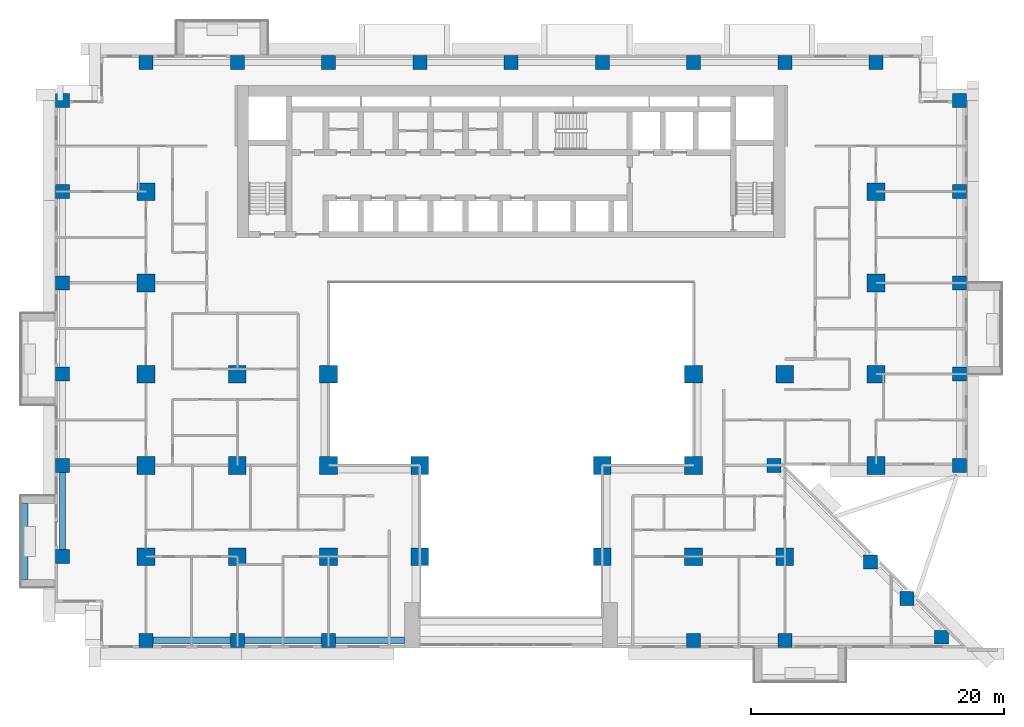
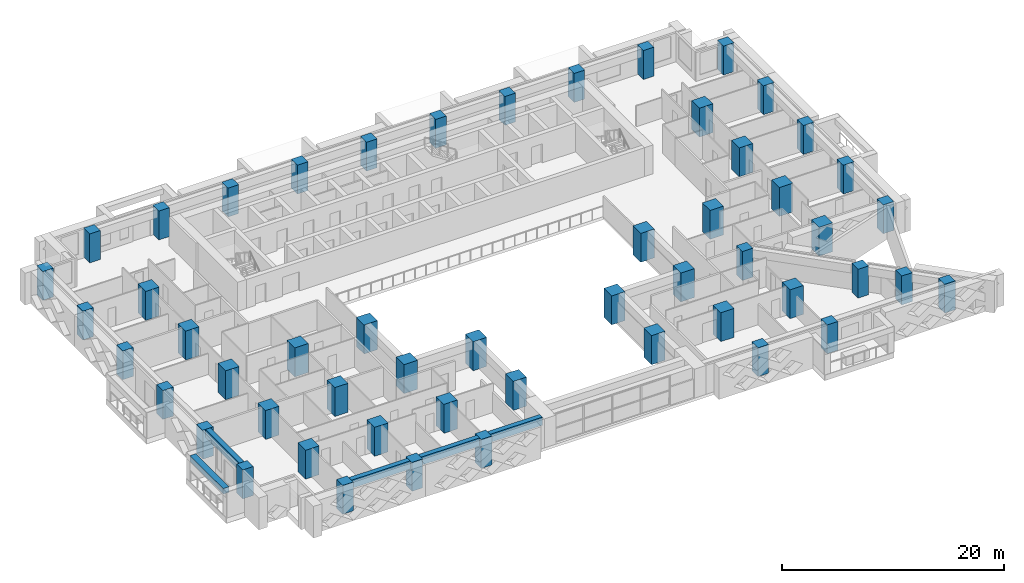
# One storey, part 1 of 16: 53 columns, 5 beams.
"""IFC4 building model written with IfcOpenShell, lengths in metres."""

from ifc_helpers import new_model, si_unit, direction, frame, origin, origin_2d, place, context, subcontext, project, spatial, rectangle, extrude, source, transform, mapped, material, material_profile, profile_set, type_object, element, save


model = new_model("IFC4")

# Units and contexts
model_context = context("Model", 3, precision=1e-05, world=origin(), true_north=direction((0.0, 1.0)))
body_context = subcontext(model_context, "Body", "Model", "MODEL_VIEW")
ifc_project = project(units=[si_unit("LENGTHUNIT", "METRE"), si_unit("AREAUNIT", "SQUARE_METRE"), si_unit("VOLUMEUNIT", "CUBIC_METRE"), si_unit("PLANEANGLEUNIT", "RADIAN"), si_unit("MASSUNIT", "GRAM", prefix="KILO")], contexts=[model_context])

# Site, building, storey
site_placement = place(None, origin())
site = spatial("IfcSite", under=ifc_project, at=site_placement, CompositionType="ELEMENT")
building_placement = place(site_placement, origin())
building = spatial("IfcBuilding", under=site, at=building_placement, Name="Saffron Iwan Residences", CompositionType="ELEMENT")
storey_placement = place(building_placement, frame((0.0, 0.0, 30.5)))
storey = spatial("IfcBuildingStorey", under=building, at=storey_placement, Name="L06", CompositionType="ELEMENT", Elevation=30.5)

# Columns
ifc_material_1 = material(Name="Concrete C60/75", Category="concrete")
ifc_material_profile_1 = material_profile(ifc_material_1, rectangle(XDim=1.10009765625, YDim=1.10009765625, at=origin_2d()), Name="RC 1100x1100")
ifc_profile_set_1 = profile_set([ifc_material_profile_1], Name="Concrete C60/75")
column_type_1 = type_object("IfcColumnType", Name="COL RC 1100x1100 C60/75 3180 HIGH", PredefinedType="COLUMN", material=ifc_profile_set_1)
shared_shape_1 = source(origin(), body_context, "Body", "SweptSolid", [
    extrude(rectangle(XDim=1.10009765625, YDim=1.10009765625, at=origin_2d()), origin(), (0.0, 0.0, 1.0), 3.179931640625),
])
for number, where, z_axis, x_axis, name in (
    (1, (21.60009765625, 34.199951171875, 0.0), (0.0, 0.0, 1.0), (1.0, 0.0, 0.0), "Column C038"),
    (2, (28.800048828125, 34.199951171875, 0.0), (0.0, 0.0, 1.0), (1.0, 0.0, 0.0), "Column C039"),
    (3, (36.0, 34.199951171875, 0.0), (0.0, 0.0, 1.0), (1.0, 0.0, 0.0), "Column C040"),
    (4, (64.800048828125, 34.199951171875, 0.0), (0.0, 0.0, 1.0), (1.0, 0.0, 0.0), "Column C041"),
    (5, (72.0, 34.199951171875, 0.0), (0.0, 0.0, 1.0), (1.0, 0.0, 0.0), "Column C042"),
    (6, (84.367431640625, 34.44189453125, 0.0), (0.0, 0.0, 1.0), (1.0, 0.0, 0.0), "Column C043"),
    (7, (81.65576171875, 37.49560546875, 0.0), (0.0, 0.0, 1.0), (1.0, 0.0, 0.0), "Column C044"),
    (8, (78.775634765625, 40.375732421875, 0.0), (0.0, 0.0, 1.0), (1.0, 0.0, 0.0), "Column C047"),
    (9, (15.0, 40.800048828125, 0.0), (0.0, 0.0, 1.0), (1.0, 0.0, 0.0), "Column C048"),
    (10, (15.0, 48.0, 0.0), (0.0, 0.0, 1.0), (1.0, 0.0, 0.0), "Column C061"),
    (11, (71.14990234375, 48.0, 0.0), (0.0, 0.0, 1.0), (1.0, 0.0, 0.0), "Column C070"),
    (12, (85.800048828125, 48.0, 0.0), (0.0, 0.0, 1.0), (1.0, 0.0, 0.0), "Column C074"),
    (13, (15.0, 55.199951171875, 0.0), (0.0, 0.0, 1.0), (1.0, 0.0, 0.0), "Column C077"),
    (14, (85.800048828125, 55.199951171875, 0.0), (0.0, 0.0, 1.0), (1.0, 0.0, 0.0), "Column C086"),
    (15, (15.0, 62.39990234375, 0.0), (0.0, 0.0, 1.0), (1.0, 0.0, 0.0), "Column C089"),
    (16, (85.800048828125, 62.39990234375, 0.0), (0.0, 0.0, 1.0), (1.0, 0.0, 0.0), "Column C094"),
    (17, (15.0, 69.60009765625, 0.0), (0.0, 0.0, 1.0), (1.0, 0.0, 0.0), "Column C097"),
    (18, (85.800048828125, 69.60009765625, 0.0), (0.0, 0.0, 1.0), (1.0, 0.0, 0.0), "Column C102"),
    (19, (15.0, 76.800048828125, 0.0), (0.0, 0.0, 1.0), (1.0, 0.0, 0.0), "Column C105"),
    (20, (85.800048828125, 76.800048828125, 0.0), (0.0, 0.0, 1.0), (1.0, 0.0, 0.0), "Column C110"),
    (21, (21.60009765625, 79.800048828125, 0.0), (0.0, 0.0, 1.0), (1.0, 0.0, 0.0), "Column C113"),
    (22, (28.800048828125, 79.800048828125, 0.0), (0.0, 0.0, 1.0), (1.0, 0.0, 0.0), "Column C115"),
    (23, (36.0, 79.800048828125, 0.0), (0.0, 0.0, 1.0), (1.0, 0.0, 0.0), "Column C116"),
    (24, (43.199951171875, 79.800048828125, 0.0), (0.0, 0.0, 1.0), (1.0, 0.0, 0.0), "Column C117"),
    (25, (50.39990234375, 79.800048828125, 0.0), (0.0, 0.0, 1.0), (1.0, 0.0, 0.0), "Column C118"),
    (26, (57.60009765625, 79.800048828125, 0.0), (0.0, 0.0, 1.0), (1.0, 0.0, 0.0), "Column C119"),
    (27, (64.800048828125, 79.800048828125, 0.0), (0.0, 0.0, 1.0), (1.0, 0.0, 0.0), "Column C120"),
    (28, (72.0, 79.800048828125, 0.0), (0.0, 0.0, 1.0), (1.0, 0.0, 0.0), "Column C121"),
    (29, (79.199951171875, 79.800048828125, 0.0), (0.0, 0.0, 1.0), (1.0, 0.0, 0.0), "Column C123"),
):
    element("IfcColumn", number, at=place(storey_placement, frame(where, z_axis=z_axis, x_axis=x_axis)), inside=storey, type_object=column_type_1, Name=name, PredefinedType="COLUMN", context=body_context, shape_type="MappedRepresentation", body=[
        mapped(shared_shape_1, transform((0.0, 0.0, 0.0))),
    ])
ifc_material_profile_2 = material_profile(ifc_material_1, rectangle(XDim=1.39990234375, YDim=1.39990234375, at=origin_2d()), Name="RC 1400x1400")
ifc_profile_set_2 = profile_set([ifc_material_profile_2], Name="Concrete C60/75")
column_type_2 = type_object("IfcColumnType", Name="COL RC 1400x1400 C60/75 3180 HIGH", PredefinedType="COLUMN", material=ifc_profile_set_2)
shared_shape_2 = source(origin(), body_context, "Body", "SweptSolid", [
    extrude(rectangle(XDim=1.39990234375, YDim=1.39990234375, at=origin_2d()), origin(), (0.0, 0.0, 1.0), 3.179931640625),
])
for number, where, z_axis, x_axis, name in (
    (30, (21.60009765625, 40.800048828125, 0.0), (0.0, 0.0, 1.0), (1.0, 0.0, 0.0), "Column C049"),
    (31, (28.800048828125, 40.800048828125, 0.0), (0.0, 0.0, 1.0), (1.0, 0.0, 0.0), "Column C051"),
    (32, (36.0, 40.800048828125, 0.0), (0.0, 0.0, 1.0), (1.0, 0.0, 0.0), "Column C052"),
    (33, (43.199951171875, 40.800048828125, 0.0), (0.0, 0.0, 1.0), (1.0, 0.0, 0.0), "Column C053"),
    (34, (57.60009765625, 40.800048828125, 0.0), (0.0, 0.0, 1.0), (1.0, 0.0, 0.0), "Column C054"),
    (35, (64.800048828125, 40.800048828125, 0.0), (0.0, 0.0, 1.0), (1.0, 0.0, 0.0), "Column C055"),
    (36, (72.0, 40.800048828125, 0.0), (0.0, 0.0, 1.0), (1.0, 0.0, 0.0), "Column C056"),
    (37, (21.60009765625, 48.0, 0.0), (0.0, 0.0, 1.0), (1.0, 0.0, 0.0), "Column C063"),
    (38, (28.800048828125, 48.0, 0.0), (0.0, 0.0, 1.0), (1.0, 0.0, 0.0), "Column C064"),
    (39, (36.0, 48.0, 0.0), (0.0, 0.0, 1.0), (1.0, 0.0, 0.0), "Column C065"),
    (40, (43.199951171875, 48.0, 0.0), (0.0, 0.0, 1.0), (1.0, 0.0, 0.0), "Column C066"),
    (41, (57.60009765625, 48.0, 0.0), (0.0, 0.0, 1.0), (1.0, 0.0, 0.0), "Column C068"),
    (42, (64.800048828125, 48.0, 0.0), (0.0, 0.0, 1.0), (1.0, 0.0, 0.0), "Column C069"),
    (43, (79.199951171875, 48.0, 0.0), (0.0, 0.0, 1.0), (1.0, 0.0, 0.0), "Column C072"),
    (44, (21.60009765625, 55.199951171875, 0.0), (0.0, 0.0, 1.0), (1.0, 0.0, 0.0), "Column C079"),
    (45, (28.800048828125, 55.199951171875, 0.0), (0.0, 0.0, 1.0), (1.0, 0.0, 0.0), "Column C080"),
    (46, (36.0, 55.199951171875, 0.0), (0.0, 0.0, 1.0), (1.0, 0.0, 0.0), "Column C081"),
    (47, (64.800048828125, 55.199951171875, 0.0), (0.0, 0.0, 1.0), (1.0, 0.0, 0.0), "Column C082"),
    (48, (72.0, 55.199951171875, 0.0), (0.0, 0.0, 1.0), (1.0, 0.0, 0.0), "Column C083"),
    (49, (79.199951171875, 55.199951171875, 0.0), (0.0, 0.0, 1.0), (1.0, 0.0, 0.0), "Column C084"),
    (50, (21.60009765625, 62.39990234375, 0.0), (0.0, 0.0, 1.0), (1.0, 0.0, 0.0), "Column C091"),
    (51, (79.199951171875, 62.39990234375, 0.0), (0.0, 0.0, 1.0), (1.0, 0.0, 0.0), "Column C092"),
    (52, (21.60009765625, 69.60009765625, 0.0), (0.0, 0.0, 1.0), (1.0, 0.0, 0.0), "Column C099"),
    (53, (79.199951171875, 69.60009765625, 0.0), (0.0, 0.0, 1.0), (1.0, 0.0, 0.0), "Column C100"),
):
    element("IfcColumn", number, at=place(storey_placement, frame(where, z_axis=z_axis, x_axis=x_axis)), inside=storey, type_object=column_type_2, Name=name, PredefinedType="COLUMN", context=body_context, shape_type="MappedRepresentation", body=[
        mapped(shared_shape_2, transform((0.0, 0.0, 0.0))),
    ])

# Beams
ifc_material_profile_3 = material_profile(ifc_material_1, rectangle(XDim=0.5, YDim=0.89990234375, at=origin_2d()), Name="RC 500x900")
ifc_profile_set_3 = profile_set([ifc_material_profile_3], Name="Concrete C60/75")
beam_type_1 = type_object("IfcBeamType", Name="SPANDREL BEAM RC 500x900 C60/75 TOP 3180", PredefinedType="SPANDREL", material=ifc_profile_set_3)
shared_shape_3 = source(origin(), body_context, "Body", "SweptSolid", [
    extrude(rectangle(XDim=0.5, YDim=0.89990234375, at=origin_2d()), origin(), (0.0, 0.0, 1.0), 6.10009765625),
])
beam_1_placement = place(storey_placement, frame((28.25, 34.199951171875, 2.72998046875), z_axis=(-1.0, 0.0, 0.0), x_axis=(0.0, -1.0, 0.0)))
element("IfcBeam", 54, at=beam_1_placement, inside=storey, type_object=beam_type_1, Name="Spandrel beam", PredefinedType="SPANDREL", context=body_context, shape_type="MappedRepresentation", body=[
    mapped(shared_shape_3, transform((0.0, 0.0, 0.0))),
])
shared_shape_4 = source(origin(), body_context, "Body", "SweptSolid", [
    extrude(rectangle(XDim=0.5, YDim=0.89990234375, at=origin_2d()), origin(), (0.0, 0.0, 1.0), 6.099853515625),
])
for number, where, z_axis, x_axis, name in (
    (55, (35.449951171875, 34.199951171875, 2.72998046875), (-1.0, 0.0, 0.0), (0.0, -1.0, 0.0), "Spandrel beam"),
    (56, (15.0, 41.35009765625, 2.72998046875), (0.0, 1.0, 0.0), (-1.0, 0.0, 0.0), "Spandrel beam"),
):
    element("IfcBeam", number, at=place(storey_placement, frame(where, z_axis=z_axis, x_axis=x_axis)), inside=storey, type_object=beam_type_1, Name=name, PredefinedType="SPANDREL", context=body_context, shape_type="MappedRepresentation", body=[
        mapped(shared_shape_4, transform((0.0, 0.0, 0.0))),
    ])
shared_shape_5 = source(origin(), body_context, "Body", "SweptSolid", [
    extrude(rectangle(XDim=0.5, YDim=0.89990234375, at=origin_2d()), origin(), (0.0, 0.0, 1.0), 5.449951171875),
])
beam_2_placement = place(storey_placement, frame((42.0, 34.199951171875, 2.72998046875), z_axis=(-1.0, 0.0, 0.0), x_axis=(0.0, -1.0, 0.0)))
element("IfcBeam", 57, at=beam_2_placement, inside=storey, type_object=beam_type_1, Name="Spandrel beam", PredefinedType="SPANDREL", context=body_context, shape_type="MappedRepresentation", body=[
    mapped(shared_shape_5, transform((0.0, 0.0, 0.0))),
])
ifc_material_2 = material(Name="Concrete C50/60 white painted", Category="concrete")
ifc_material_profile_4 = material_profile(ifc_material_2, rectangle(XDim=0.60009765625, YDim=0.60009765625, at=origin_2d()), Name="BALCONY FASCIA BEAM 600 x 600")
ifc_profile_set_4 = profile_set([ifc_material_profile_4], Name="Concrete C50/60 white painted")
beam_type_2 = type_object("IfcBeamType", Name="BALCONY FASCIA BEAM 600 x 600", PredefinedType="BEAM", material=ifc_profile_set_4)
shared_shape_6 = source(origin(), body_context, "Body", "SweptSolid", [
    extrude(rectangle(XDim=0.60009765625, YDim=0.60009765625, at=origin_2d()), origin(), (0.0, 0.0, 1.0), 6.0),
])
beam_3_placement = place(storey_placement, frame((12.0, 45.0, 2.550048828125), z_axis=(0.0, -1.0, 0.0), x_axis=(1.0, 0.0, 0.0)))
element("IfcBeam", 58, at=beam_3_placement, inside=storey, type_object=beam_type_2, Name="Balcony fascia beam L06 F8-2", PredefinedType="BEAM", context=body_context, shape_type="MappedRepresentation", body=[
    mapped(shared_shape_6, transform((0.0, 0.0, 0.0))),
])

save(model, "model.ifc")
